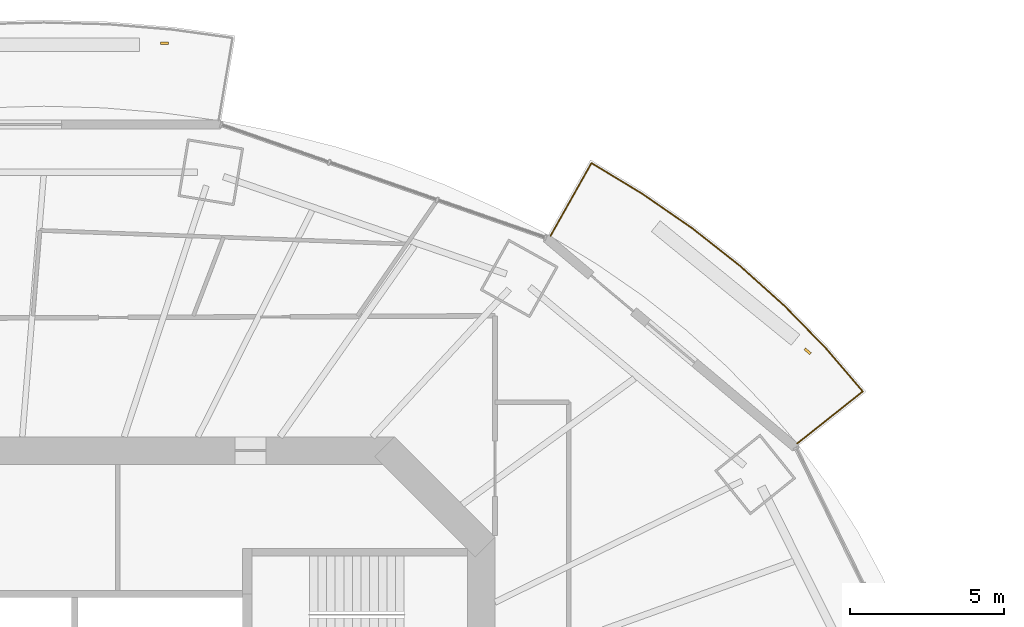
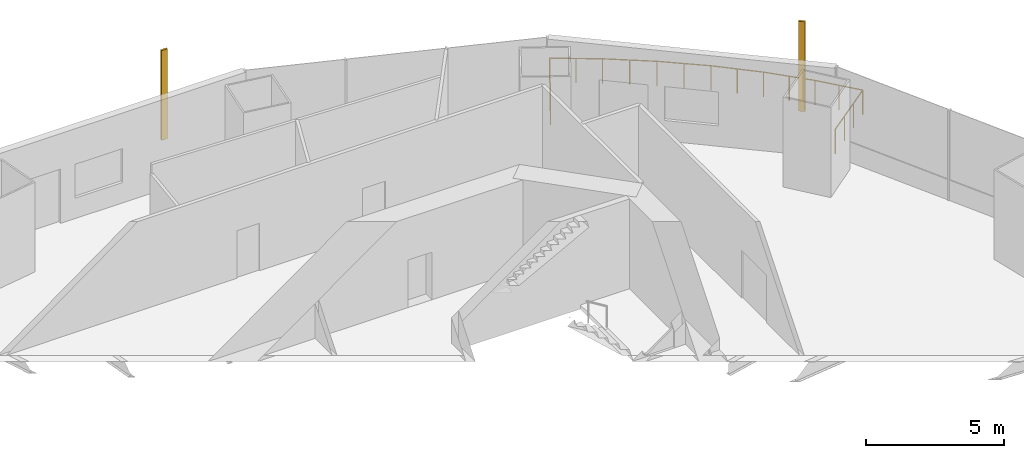
# One storey, part 17 of 18: 2 shading devices, 1 railing.
"""IFC4 building model written with IfcOpenShell, lengths in metres."""

from ifc_helpers import new_model, si_unit, direction, frame, origin, origin_2d, place, context, subcontext, project, spatial, rectangle, circle, extrude, material, material_profile, profile_set, type_object, element, save


model = new_model("IFC4")

# Units and contexts
model_context = context("Model", 3, precision=1e-05, world=origin(), true_north=direction((0.0, 1.0)))
body_context = subcontext(model_context, "Body", "Model", "MODEL_VIEW")
ifc_project = project(units=[si_unit("LENGTHUNIT", "METRE"), si_unit("AREAUNIT", "SQUARE_METRE"), si_unit("VOLUMEUNIT", "CUBIC_METRE"), si_unit("PLANEANGLEUNIT", "RADIAN"), si_unit("MASSUNIT", "GRAM", prefix="KILO")], contexts=[model_context])

# Site, building, storey
site_placement = place(None, origin())
site = spatial("IfcSite", under=ifc_project, at=site_placement, CompositionType="ELEMENT")
building_placement = place(site_placement, origin())
building = spatial("IfcBuilding", under=site, at=building_placement, Name="Marenthal Gate Tower", CompositionType="ELEMENT")
storey_placement = place(building_placement, frame((0.0, 0.0, 264.800048828125)))
storey = spatial("IfcBuildingStorey", under=building, at=storey_placement, Name="L59", CompositionType="ELEMENT", Elevation=264.800048828125)

# Railing
ifc_material_1 = material(Name="Stainless steel", Category="steel")
railing_type = type_object("IfcRailingType", Name="Balcony guard 1100", PredefinedType="GUARDRAIL", material=ifc_material_1)
railing_placement = place(storey_placement, frame((18.24853515625, 19.971435546875, 0.0)))
element("IfcRailing", 1, at=railing_placement, inside=storey, type_object=railing_type, Name="Balcony guard L59 bay 2", PredefinedType="GUARDRAIL", context=body_context, shape_type="SweptSolid", body=[
    extrude(circle(Radius=0.02392578125, at=origin_2d()), frame((0.0, 0.0, 1.076171875), z_axis=(0.490110126521, 0.87153624586, -0.01471856084), x_axis=(-0.871630664279, 0.490163222905, 0.0)), (0.0, 0.0, 1.0), 2.72021484375),
    extrude(circle(Radius=0.02392578125, at=origin_2d()), frame((1.333251953125, 2.370849609375, 1.0361328125), z_axis=(0.855802788103, -0.517302221023, 0.0), x_axis=(0.517302221023, 0.855802788103, 0.0)), (0.0, 0.0, 1.0), 1.9169921875),
    extrude(circle(Radius=0.02392578125, at=origin_2d()), frame((2.973876953125, 1.379150390625, 1.0361328125), z_axis=(0.823073780852, -0.567934460369, 0.0), x_axis=(0.567934460369, 0.823073780852, 0.0)), (0.0, 0.0, 1.0), 1.981689453125),
    extrude(circle(Radius=0.02392578125, at=origin_2d()), frame((4.60498046875, 0.253662109375, 1.0361328125), z_axis=(0.78557216762, -0.618770045705, 0.0), x_axis=(0.618770045705, 0.78557216762, 0.0)), (0.0, 0.0, 1.0), 1.965576171875),
    extrude(circle(Radius=0.02392578125, at=origin_2d()), frame((6.149169921875, -0.962646484375, 1.0361328125), z_axis=(0.744090634805, -0.668078683387, 0.0), x_axis=(0.668078683387, 0.744090634805, 0.0)), (0.0, 0.0, 1.0), 1.94970703125),
    extrude(circle(Radius=0.02392578125, at=origin_2d()), frame((7.599853515625, -2.26513671875, 1.0361328125), z_axis=(0.698404320823, -0.715703433452, 0.0), x_axis=(0.715703433452, 0.698404320823, 0.0)), (0.0, 0.0, 1.0), 1.933349609375),
    extrude(circle(Radius=0.02392578125, at=origin_2d()), frame((8.9501953125, -3.64892578125, 1.0361328125), z_axis=(0.649762582355, -0.760137215621, 0.0), x_axis=(0.760137215621, 0.649762582355, 0.0)), (0.0, 0.0, 1.0), 1.838134765625),
    extrude(circle(Radius=0.02392578125, at=origin_2d()), frame((10.14453125, -5.046142578125, 1.0361328125), z_axis=(-0.783099279626, -0.621722488249, 0.014719573852), x_axis=(0.621789852213, -0.783184128852, 0.0)), (0.0, 0.0, 1.0), 2.72021484375),
    extrude(circle(Radius=0.02099609375, at=origin_2d()), origin(), (0.0, 0.0, 1.0), 1.052001953125),
    extrude(circle(Radius=0.02099609375, at=origin_2d()), frame((0.4443359375, 0.790283203125, -0.013427734375)), (0.0, 0.0, 1.0), 1.052001953125),
    extrude(circle(Radius=0.02099609375, at=origin_2d()), frame((0.888916015625, 1.58056640625, -0.026611328125)), (0.0, 0.0, 1.0), 1.052001953125),
    extrude(circle(Radius=0.02099609375, at=origin_2d()), frame((1.333251953125, 2.370849609375, -0.0400390625)), (0.0, 0.0, 1.0), 1.052001953125),
    extrude(circle(Radius=0.02099609375, at=origin_2d()), frame((2.153564453125, 1.875, -0.0400390625)), (0.0, 0.0, 1.0), 1.052001953125),
    extrude(circle(Radius=0.02099609375, at=origin_2d()), frame((2.973876953125, 1.379150390625, -0.0400390625)), (0.0, 0.0, 1.0), 1.052001953125),
    extrude(circle(Radius=0.02099609375, at=origin_2d()), frame((3.78955078125, 0.81640625, -0.0400390625)), (0.0, 0.0, 1.0), 1.052001953125),
    extrude(circle(Radius=0.02099609375, at=origin_2d()), frame((4.60498046875, 0.253662109375, -0.0400390625)), (0.0, 0.0, 1.0), 1.052001953125),
    extrude(circle(Radius=0.02099609375, at=origin_2d()), frame((5.376953125, -0.3544921875, -0.0400390625)), (0.0, 0.0, 1.0), 1.052001953125),
    extrude(circle(Radius=0.02099609375, at=origin_2d()), frame((6.149169921875, -0.962646484375, -0.0400390625)), (0.0, 0.0, 1.0), 1.052001953125),
    extrude(circle(Radius=0.02099609375, at=origin_2d()), frame((6.87451171875, -1.61376953125, -0.0400390625)), (0.0, 0.0, 1.0), 1.052001953125),
    extrude(circle(Radius=0.02099609375, at=origin_2d()), frame((7.599853515625, -2.26513671875, -0.0400390625)), (0.0, 0.0, 1.0), 1.052001953125),
    extrude(circle(Radius=0.02099609375, at=origin_2d()), frame((8.27490234375, -2.95703125, -0.0400390625)), (0.0, 0.0, 1.0), 1.052001953125),
    extrude(circle(Radius=0.02099609375, at=origin_2d()), frame((8.9501953125, -3.64892578125, -0.0400390625)), (0.0, 0.0, 1.0), 1.052001953125),
    extrude(circle(Radius=0.02099609375, at=origin_2d()), frame((9.54736328125, -4.34765625, -0.0400390625)), (0.0, 0.0, 1.0), 1.052001953125),
    extrude(circle(Radius=0.02099609375, at=origin_2d()), frame((10.14453125, -5.046142578125, -0.0400390625)), (0.0, 0.0, 1.0), 1.052001953125),
    extrude(circle(Radius=0.02099609375, at=origin_2d()), frame((9.4345703125, -5.60986328125, -0.026611328125)), (0.0, 0.0, 1.0), 1.052001953125),
    extrude(circle(Radius=0.02099609375, at=origin_2d()), frame((8.724365234375, -6.173583984375, -0.013427734375)), (0.0, 0.0, 1.0), 1.052001953125),
    extrude(circle(Radius=0.02099609375, at=origin_2d()), frame((8.014404296875, -6.7373046875, 0.0)), (0.0, 0.0, 1.0), 1.052001953125),
])

# Shading devices
ifc_material_2 = material(Name="Terracotta", Category="masonry")
ifc_material_profile = material_profile(ifc_material_2, rectangle(XDim=0.25, YDim=0.080078125, at=origin_2d()), Name="Terracotta baguette 250x80")
ifc_profile_set = profile_set([ifc_material_profile], Name="Terracotta")
shading_device_type = type_object("IfcShadingDeviceType", Name="Terracotta BAGUETTE SCREEN 250x80", PredefinedType="USERDEFINED", material=ifc_profile_set)
for number, where, z_axis, x_axis, name in (
    (2, (26.60302734375, 16.2275390625, -0.0400390625), (0.0, 0.0, 1.0), (-0.765301302142, 0.64367221234, 0.0), "Terracotta BAGUETTE L59 bay 2L"),
    (3, (5.71337890625, 26.23291015625, -0.0400390625), (0.0, 0.0, 1.0), (-1.0, 0.0, 0.0), "Terracotta BAGUETTE L59 bay 4L"),
):
    element("IfcShadingDevice", number, at=place(storey_placement, frame(where, z_axis=z_axis, x_axis=x_axis)), inside=storey, type_object=shading_device_type, Name=name, ObjectType="BAGUETTE SCREEN", PredefinedType="USERDEFINED", context=body_context, shape_type="SweptSolid", body=[
        extrude(rectangle(XDim=0.25, YDim=0.080078125, at=origin_2d()), origin(), (0.0, 0.0, 1.0), 3.969970703125),
    ])

save(model, "model.ifc")
